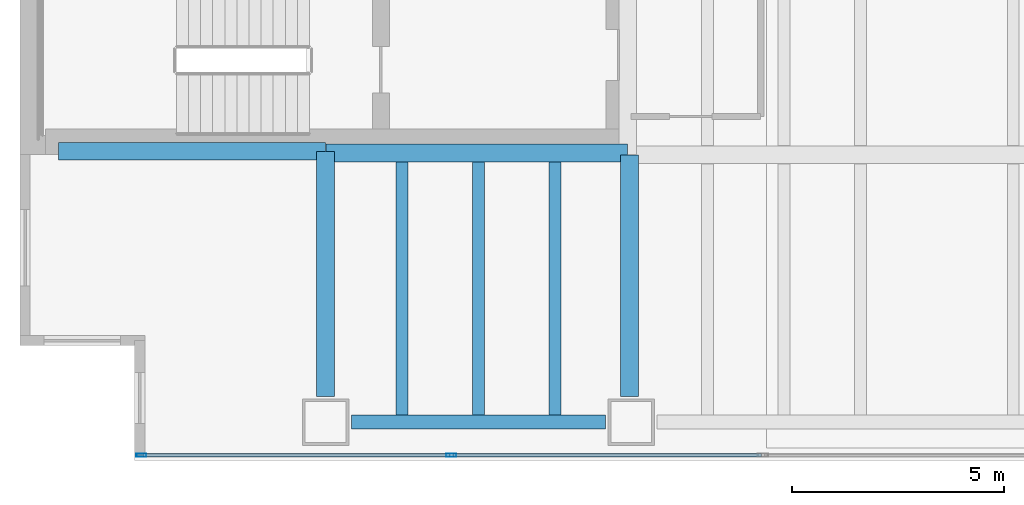
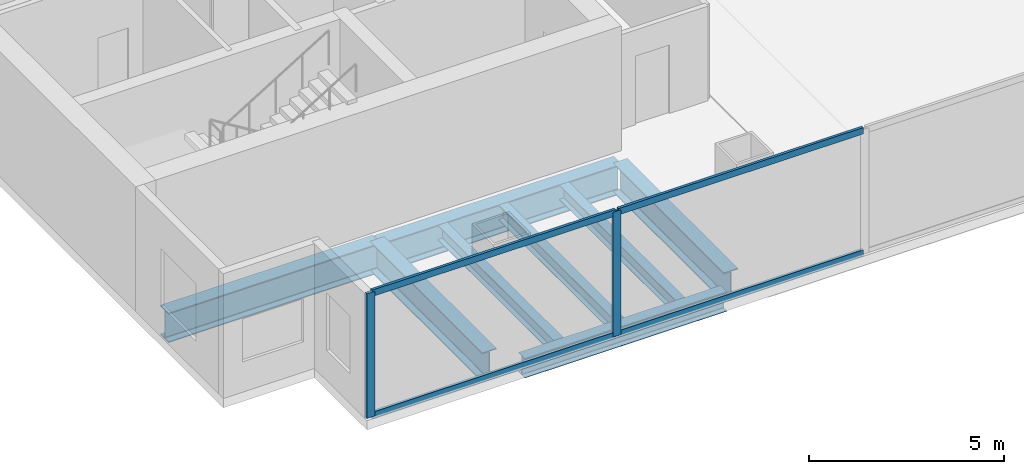
# One storey, part 2 of 28: 8 beams, 6 members, 1 element without a shape of its own.
"""IFC4 building model written with IfcOpenShell, lengths in metres."""

from ifc_helpers import new_model, si_unit, direction, frame, origin, origin_2d, place, context, subcontext, project, spatial, hollow_rectangle, i_section, extrude, material, material_profile, profile_set, type_object, element, aggregate, save


model = new_model("IFC4")

# Units and contexts
model_context = context("Model", 3, precision=1e-05, world=origin(), true_north=direction((0.0, 1.0)))
body_context = subcontext(model_context, "Body", "Model", "MODEL_VIEW")
ifc_project = project(units=[si_unit("LENGTHUNIT", "METRE"), si_unit("AREAUNIT", "SQUARE_METRE"), si_unit("VOLUMEUNIT", "CUBIC_METRE"), si_unit("PLANEANGLEUNIT", "RADIAN"), si_unit("MASSUNIT", "GRAM", prefix="KILO")], contexts=[model_context])

# Site, building, storey
site_placement = place(None, origin())
site = spatial("IfcSite", under=ifc_project, at=site_placement, CompositionType="ELEMENT")
building_placement = place(site_placement, origin())
building = spatial("IfcBuilding", under=site, at=building_placement, Name="Cobrela Telecom Tower", CompositionType="ELEMENT")
storey_placement = place(building_placement, frame((0.0, 0.0, 17.85009765625)))
storey = spatial("IfcBuildingStorey", under=building, at=storey_placement, Name="L04", CompositionType="ELEMENT", Elevation=17.85009765625)

# Beams
ifc_material_1 = material(Name="Steel ASTM A992 Grade 50", Category="steel")
ifc_material_profile_1 = material_profile(ifc_material_1, i_section(OverallWidth=0.4189453125, OverallDepth=0.927001953125, WebThickness=0.019287109375, FlangeThickness=0.031982421875, FilletRadius=0.02392578125, at=origin_2d()), Name="W36X231")
ifc_profile_set_1 = profile_set([ifc_material_profile_1], Name="Steel ASTM A992 Grade 50")
beam_type_1 = type_object("IfcBeamType", Name="BM-GIRD-02", PredefinedType="USERDEFINED", material=ifc_profile_set_1)
beam_1_placement = place(storey_placement, frame((0.905029296875, 7.280029296875, -0.753662109375), z_axis=(1.0, 0.0, 0.0), x_axis=(0.0, 1.0, 0.0)))
element("IfcBeam", 1, at=beam_1_placement, inside=storey, type_object=beam_type_1, Name="L04 Primary Girder X10", ObjectType="GIRDER", PredefinedType="USERDEFINED", context=body_context, shape_type="SweptSolid", body=[
    extrude(i_section(OverallWidth=0.4189453125, OverallDepth=0.927001953125, WebThickness=0.019287109375, FlangeThickness=0.031982421875, FilletRadius=0.02392578125, at=origin_2d()), origin(), (0.0, 0.0, 1.0), 6.2900390625),
])
beam_2_placement = place(storey_placement, frame((7.205078125, 7.239990234375, -0.753662109375), z_axis=(1.0, 0.0, 0.0), x_axis=(0.0, 1.0, 0.0)))
element("IfcBeam", 2, at=beam_2_placement, inside=storey, type_object=beam_type_1, Name="L04 Primary Girder X11", ObjectType="GIRDER", PredefinedType="USERDEFINED", context=body_context, shape_type="SweptSolid", body=[
    extrude(i_section(OverallWidth=0.4189453125, OverallDepth=0.927001953125, WebThickness=0.019287109375, FlangeThickness=0.031982421875, FilletRadius=0.02392578125, at=origin_2d()), origin(), (0.0, 0.0, 1.0), 7.10986328125),
])
beam_3_placement = place(storey_placement, frame((7.199951171875, 1.5048828125, -0.753662109375), z_axis=(0.0, 1.0, 0.0), x_axis=(-1.0, 0.0, 0.0)))
element("IfcBeam", 3, at=beam_3_placement, inside=storey, type_object=beam_type_1, Name="L04 Primary Girder Y57", ObjectType="GIRDER", PredefinedType="USERDEFINED", context=body_context, shape_type="SweptSolid", body=[
    extrude(i_section(OverallWidth=0.4189453125, OverallDepth=0.927001953125, WebThickness=0.019287109375, FlangeThickness=0.031982421875, FilletRadius=0.02392578125, at=origin_2d()), origin(), (0.0, 0.0, 1.0), 5.77001953125),
])
beam_4_placement = place(storey_placement, frame((14.360107421875, 1.5048828125, -0.753662109375), z_axis=(0.0, 1.0, 0.0), x_axis=(-1.0, 0.0, 0.0)))
element("IfcBeam", 4, at=beam_4_placement, inside=storey, type_object=beam_type_1, Name="L04 Primary Girder Y60", ObjectType="GIRDER", PredefinedType="USERDEFINED", context=body_context, shape_type="SweptSolid", body=[
    extrude(i_section(OverallWidth=0.4189453125, OverallDepth=0.927001953125, WebThickness=0.019287109375, FlangeThickness=0.031982421875, FilletRadius=0.02392578125, at=origin_2d()), origin(), (0.0, 0.0, 1.0), 5.690185546875),
])
ifc_material_profile_2 = material_profile(ifc_material_1, i_section(OverallWidth=0.281982421875, OverallDepth=0.467041015625, WebThickness=0.01220703125, FlangeThickness=0.01953125, FilletRadius=0.012939453125, at=origin_2d()), Name="W18X86")
ifc_profile_set_2 = profile_set([ifc_material_profile_2], Name="Steel ASTM A992 Grade 50")
beam_type_2 = type_object("IfcBeamType", Name="BM-JOIST-02", PredefinedType="JOIST", material=ifc_profile_set_2)
for number, where, z_axis, x_axis, name in (
    (5, (9.0, 1.0673828125, -0.523681640625), (0.0, 1.0, 0.0), (-1.0, 0.0, 0.0), "L04 Secondary Composite Floor Beam J04"),
    (6, (10.800048828125, 1.0673828125, -0.523681640625), (0.0, 1.0, 0.0), (-1.0, 0.0, 0.0), "L04 Secondary Composite Floor Beam J07"),
    (7, (12.60009765625, 1.0673828125, -0.523681640625), (0.0, 1.0, 0.0), (-1.0, 0.0, 0.0), "L04 Secondary Composite Floor Beam J10"),
):
    element("IfcBeam", number, at=place(storey_placement, frame(where, z_axis=z_axis, x_axis=x_axis)), inside=storey, type_object=beam_type_2, Name=name, PredefinedType="JOIST", context=body_context, shape_type="SweptSolid", body=[
        extrude(i_section(OverallWidth=0.281982421875, OverallDepth=0.467041015625, WebThickness=0.01220703125, FlangeThickness=0.01953125, FilletRadius=0.012939453125, at=origin_2d()), origin(), (0.0, 0.0, 1.0), 5.9580078125),
    ])
ifc_material_profile_3 = material_profile(ifc_material_1, i_section(OverallWidth=0.324951171875, OverallDepth=0.612060546875, WebThickness=0.0126953125, FlangeThickness=0.01904296875, FilletRadius=0.014892578125, at=origin_2d()), Name="W24X104")
ifc_profile_set_3 = profile_set([ifc_material_profile_3], Name="Steel ASTM A992 Grade 50")
beam_type_3 = type_object("IfcBeamType", Name="BM-SPAND-02", PredefinedType="SPANDREL", material=ifc_profile_set_3)
beam_5_placement = place(storey_placement, frame((7.804931640625, 0.89990234375, -0.59619140625), z_axis=(1.0, 0.0, 0.0), x_axis=(0.0, 1.0, 0.0)))
element("IfcBeam", 8, at=beam_5_placement, inside=storey, type_object=beam_type_3, Name="L04 Perimeter Spandrel X01", PredefinedType="SPANDREL", context=body_context, shape_type="SweptSolid", body=[
    extrude(i_section(OverallWidth=0.324951171875, OverallDepth=0.612060546875, WebThickness=0.0126953125, FlangeThickness=0.01904296875, FilletRadius=0.014892578125, at=origin_2d()), origin(), (0.0, 0.0, 1.0), 5.989990234375),
])

# Curtain wall, members
ifc_material_2 = material(Name="Anodized Bronze Aluminium 6063-T6", Category="aluminium")
curtain_wall_type = type_object("IfcCurtainWallType", Name="CW-SYS-CONC", PredefinedType="USERDEFINED", material=ifc_material_2)
curtain_wall_placement = place(storey_placement, origin())
curtain_wall = element("IfcCurtainWall", 9, at=curtain_wall_placement, inside=storey, type_object=curtain_wall_type, Name="L04 Unitised Bronze Curtain Wall 17", ObjectType="UNITISED CURTAIN WALL", PredefinedType="USERDEFINED")
ifc_material_profile_4 = material_profile(ifc_material_2, hollow_rectangle(XDim=0.080078125, YDim=0.239990234375, WallThickness=0.0048828125, at=origin_2d()), Name="ALU 80x240x5")
ifc_profile_set_4 = profile_set([ifc_material_profile_4], Name="Anodized Bronze Aluminium 6063-T6")
member_type_1 = type_object("IfcMemberType", Name="CW-SYS-CONC-MUL", PredefinedType="MULLION", material=ifc_profile_set_4)
member_1_placement = place(storey_placement, frame((10.161865234375, 0.1201171875, 0.0), z_axis=(0.0, 0.0, 1.0), x_axis=(0.0, -1.0, 0.0)))
member_1 = element("IfcMember", 10, at=member_1_placement, type_object=member_type_1, Name="CW-CONC mullion 11", PredefinedType="MULLION", context=body_context, shape_type="SweptSolid", body=[
    extrude(hollow_rectangle(XDim=0.080078125, YDim=0.239990234375, WallThickness=0.0048828125, at=origin_2d()), origin(), (0.0, 0.0, 1.0), 3.909912109375),
])
member_2_placement = place(storey_placement, frame((2.860107421875, 0.1201171875, 0.0), z_axis=(0.0, 0.0, 1.0), x_axis=(0.0, -1.0, 0.0)))
member_2 = element("IfcMember", 11, at=member_2_placement, type_object=member_type_1, Name="CW-CONC mullion 12", PredefinedType="MULLION", context=body_context, shape_type="SweptSolid", body=[
    extrude(hollow_rectangle(XDim=0.080078125, YDim=0.239990234375, WallThickness=0.0048828125, at=origin_2d()), origin(), (0.0, 0.0, 1.0), 3.909912109375),
])
ifc_material_profile_5 = material_profile(ifc_material_2, hollow_rectangle(XDim=0.080078125, YDim=0.199951171875, WallThickness=0.00390625, at=origin_2d()), Name="ALU 80x200x4")
ifc_profile_set_5 = profile_set([ifc_material_profile_5], Name="Anodized Bronze Aluminium 6063-T6")
member_type_2 = type_object("IfcMemberType", Name="CW-SYS-CONC-TRN", PredefinedType="USERDEFINED", material=ifc_profile_set_5)
member_3_placement = place(storey_placement, frame((17.463623046875, 0.1201171875, 0.039794921875), z_axis=(-1.0, 0.0, 0.0), x_axis=(0.0, -1.0, 0.0)))
member_3 = element("IfcMember", 12, at=member_3_placement, type_object=member_type_2, Name="CW-CONC transom 10.1", ObjectType="TRANSOM", PredefinedType="USERDEFINED", context=body_context, shape_type="SweptSolid", body=[
    extrude(hollow_rectangle(XDim=0.080078125, YDim=0.199951171875, WallThickness=0.00390625, at=origin_2d()), origin(), (0.0, 0.0, 1.0), 7.26171875),
])
member_4_placement = place(storey_placement, frame((17.463623046875, 0.1201171875, 3.869873046875), z_axis=(-1.0, 0.0, 0.0), x_axis=(0.0, -1.0, 0.0)))
member_4 = element("IfcMember", 13, at=member_4_placement, type_object=member_type_2, Name="CW-CONC transom 10.2", ObjectType="TRANSOM", PredefinedType="USERDEFINED", context=body_context, shape_type="SweptSolid", body=[
    extrude(hollow_rectangle(XDim=0.080078125, YDim=0.199951171875, WallThickness=0.00390625, at=origin_2d()), origin(), (0.0, 0.0, 1.0), 7.26171875),
])
member_5_placement = place(storey_placement, frame((10.121826171875, 0.1201171875, 0.039794921875), z_axis=(-1.0, 0.0, 0.0), x_axis=(0.0, -1.0, 0.0)))
member_5 = element("IfcMember", 14, at=member_5_placement, type_object=member_type_2, Name="CW-CONC transom 11.1", ObjectType="TRANSOM", PredefinedType="USERDEFINED", context=body_context, shape_type="SweptSolid", body=[
    extrude(hollow_rectangle(XDim=0.080078125, YDim=0.199951171875, WallThickness=0.00390625, at=origin_2d()), origin(), (0.0, 0.0, 1.0), 7.221923828125),
])
member_6_placement = place(storey_placement, frame((10.121826171875, 0.1201171875, 3.869873046875), z_axis=(-1.0, 0.0, 0.0), x_axis=(0.0, -1.0, 0.0)))
member_6 = element("IfcMember", 15, at=member_6_placement, type_object=member_type_2, Name="CW-CONC transom 11.2", ObjectType="TRANSOM", PredefinedType="USERDEFINED", context=body_context, shape_type="SweptSolid", body=[
    extrude(hollow_rectangle(XDim=0.080078125, YDim=0.199951171875, WallThickness=0.00390625, at=origin_2d()), origin(), (0.0, 0.0, 1.0), 7.221923828125),
])
aggregate(curtain_wall, [member_1, member_2, member_3, member_4, member_5, member_6])

save(model, "model.ifc")
